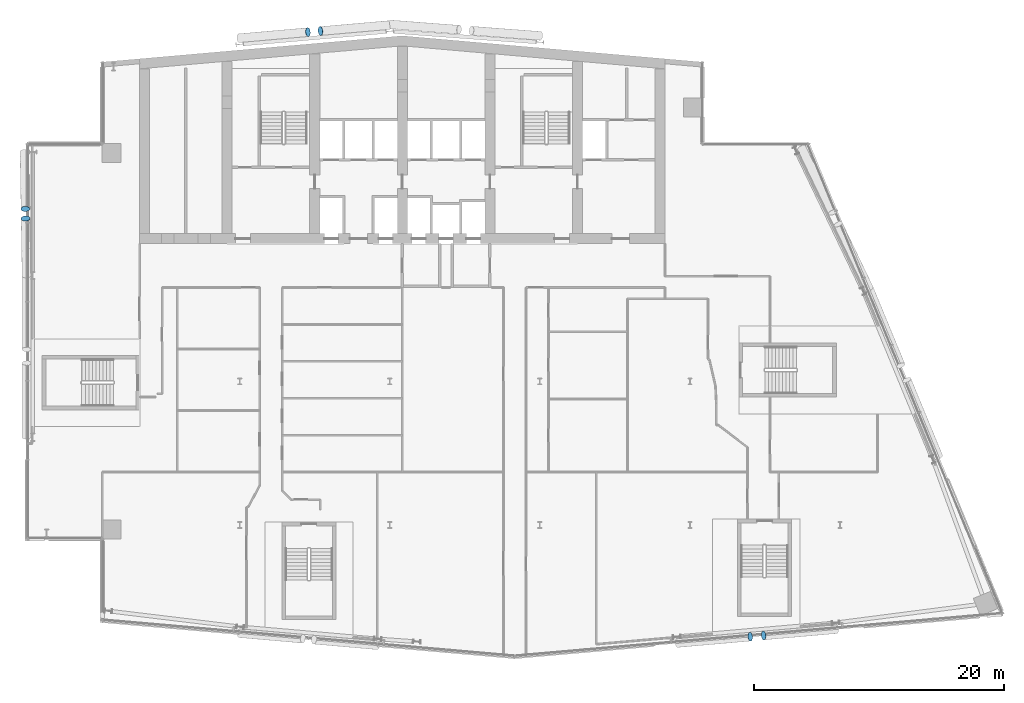
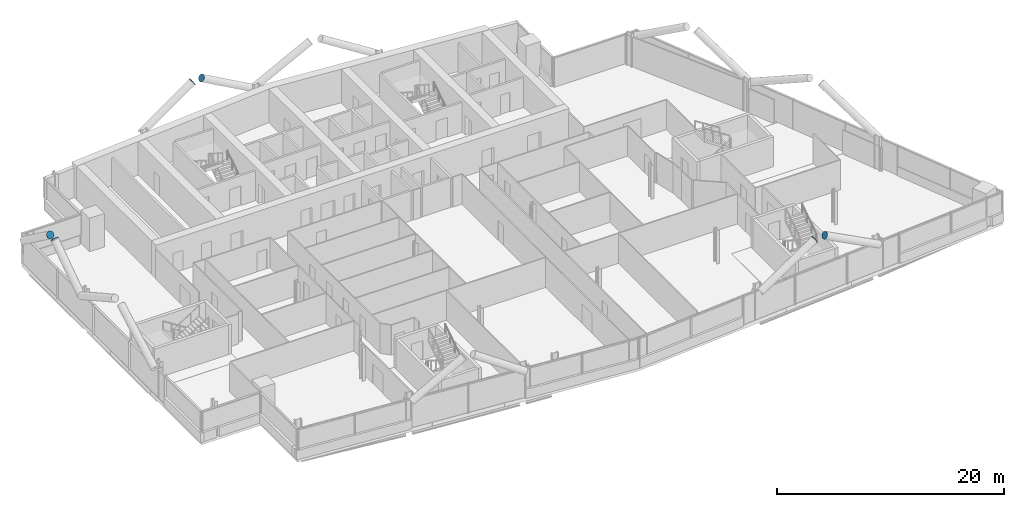
# One storey, part 22 of 26: 6 discrete accessories.
"""IFC4 building model written with IfcOpenShell, lengths in metres."""

import ifcopenshell
import ifcopenshell.guid

model = None  # the IFC model being written
_history = None  # IfcOwnerHistory: only IFC2X3 demands one
_inside = {}  # id of a spatial element -> (the spatial element, [elements in it])
_under = {}  # id of a project, library or spatial element -> (it, [spatial elements below it])
_declared = {}  # id of a project -> (the project, [libraries it declares])
_typed = {}  # id of a type object -> (the type object, [elements of that type])
_made_of = {}  # id of a material, layer set ... -> (it, [elements and type objects made of it])


def new_model(schema):
    """Start an empty IFC model of exactly this schema.

    Asked for "IFC4X3", IfcOpenShell would pick the latest addendum, in which some entities
    have other attributes; the version numbers below select the first issue.
    IFC2X3 requires an IfcOwnerHistory on every rooted entity: one is made here for all.
    """
    global model, _history
    if schema == "IFC4X3":
        model = ifcopenshell.file(schema_version=(4, 3, 0, 0))
    else:
        model = ifcopenshell.file(schema=schema)
    _inside.clear()
    _under.clear()
    _declared.clear()
    _typed.clear()
    _made_of.clear()
    _history = None
    if model.schema == "IFC2X3":
        org = make("IfcOrganization", Name="unknown")
        user = make(
            "IfcPersonAndOrganization",
            ThePerson=make("IfcPerson", FamilyName="unknown"),
            TheOrganization=org,
        )
        app = make(
            "IfcApplication",
            ApplicationDeveloper=org,
            Version="unknown",
            ApplicationFullName="unknown",
            ApplicationIdentifier="unknown",
        )
        _history = make(
            "IfcOwnerHistory",
            OwningUser=user,
            OwningApplication=app,
            ChangeAction="ADDED",
            CreationDate=0,
        )
    return model


def make(cls, **values):
    """One entity of the class cls with the attributes given. An attribute that is None is left unset."""
    return model.create_entity(
        cls, **{name: value for name, value in values.items() if value is not None}
    )


def rooted(cls, **values):
    """An entity with a GlobalId (a new one), such as an element, a storey or a relation."""
    return make(cls, GlobalId=ifcopenshell.guid.new(), OwnerHistory=_history, **values)


def si_unit(unit_type, name, prefix=None):
    """IfcSIUnit, for example si_unit("LENGTHUNIT", "METRE", prefix="MILLI")."""
    return make("IfcSIUnit", UnitType=unit_type, Prefix=prefix, Name=name)


def assignment(units):
    """IfcUnitAssignment: the units of a project."""
    return None if units is None else make("IfcUnitAssignment", Units=units)


def point(xyz):
    """IfcCartesianPoint."""
    return None if xyz is None else make("IfcCartesianPoint", Coordinates=xyz)


def direction(xyz):
    """IfcDirection."""
    return None if xyz is None else make("IfcDirection", DirectionRatios=xyz)


def frame(location, z_axis=None, x_axis=None):
    """IfcAxis2Placement3D, a coordinate frame: its origin and axes. An axis left out is left unset."""
    return make(
        "IfcAxis2Placement3D",
        Location=point(location),
        Axis=direction(z_axis),
        RefDirection=direction(x_axis),
    )


def frame_2d(location, x_axis=None):
    """IfcAxis2Placement2D, a coordinate frame in the plane: its origin and x axis."""
    return make(
        "IfcAxis2Placement2D", Location=point(location), RefDirection=direction(x_axis)
    )


def origin():
    """The frame at (0, 0, 0) with its axes left unset."""
    return frame((0.0, 0.0, 0.0))


def origin_2d():
    """The frame at (0, 0) in the plane with its x axis left unset."""
    return frame_2d((0.0, 0.0))


def place(relative_to, where):
    """IfcLocalPlacement: puts the frame where relative to a parent placement (None: the world)."""
    return make(
        "IfcLocalPlacement", PlacementRelTo=relative_to, RelativePlacement=where
    )


def context(
    kind, dimensions, precision=None, world=None, true_north=None, identifier=None
):
    """IfcGeometricRepresentationContext, for example the 3D "Model" context."""
    return make(
        "IfcGeometricRepresentationContext",
        ContextIdentifier=identifier,
        ContextType=kind,
        CoordinateSpaceDimension=dimensions,
        Precision=precision,
        WorldCoordinateSystem=world,
        TrueNorth=true_north,
    )


def subcontext(parent, identifier, kind, view, scale=None):
    """IfcGeometricRepresentationSubContext, for example "Body" below "Model"."""
    return make(
        "IfcGeometricRepresentationSubContext",
        ContextIdentifier=identifier,
        ContextType=kind,
        ParentContext=parent,
        TargetScale=scale,
        TargetView=view,
    )


def project(units=None, contexts=None):
    """IfcProject with its units and contexts."""
    return rooted(
        "IfcProject",
        Name="project",
        RepresentationContexts=contexts,
        UnitsInContext=assignment(units),
    )


def spatial(cls, under=None, at=None, **own):
    """A site, building, storey or space (cls), placed at a placement, below another one or the project."""
    s = rooted(cls, ObjectPlacement=at, **own)
    if under is not None:
        _under.setdefault(under.id(), (under, []))[1].append(s)
    return s


def profile(cls, at=None, kind="AREA", **sizes):
    """A parametric profile (cls). Its sizes go by their IFC names, for example OverallWidth=200.0."""
    return make(cls, ProfileType=kind, Position=at, **sizes)


def circle(**sizes):
    """IfcCircleProfileDef."""
    return profile("IfcCircleProfileDef", **sizes)


def extrude(swept, where, along, depth):
    """IfcExtrudedAreaSolid: the profile swept, set in the frame where, extruded along a direction by depth."""
    return make(
        "IfcExtrudedAreaSolid",
        SweptArea=swept,
        Position=where,
        ExtrudedDirection=direction(along),
        Depth=depth,
    )


def shape(context_of_items, identifier, shape_type, items):
    """IfcShapeRepresentation: the items that make up one representation, for example the "Body"."""
    return make(
        "IfcShapeRepresentation",
        ContextOfItems=context_of_items,
        RepresentationIdentifier=identifier,
        RepresentationType=shape_type,
        Items=items,
    )


def material(Name=None, Category=None):
    """IfcMaterial."""
    return make("IfcMaterial", Name=Name, Category=Category)


def material_profile(
    of_material, cross_section, Name=None, Category=None, Priority=None
):
    """IfcMaterialProfile: a cross section and its material."""
    return make(
        "IfcMaterialProfile",
        Name=Name,
        Material=of_material,
        Profile=cross_section,
        Priority=Priority,
        Category=Category,
    )


def profile_set(profiles, Name=None, composite=None):
    """IfcMaterialProfileSet."""
    return make(
        "IfcMaterialProfileSet",
        Name=Name,
        MaterialProfiles=profiles,
        CompositeProfile=composite,
    )


def made_of(thing, what):
    """Note that an element or type object is made of a material, layer set ...; save() writes the relation."""
    if what is not None:
        _made_of.setdefault(what.id(), (what, []))[1].append(thing)
    return thing


def type_object(cls, material=None, **own):
    """A type object (cls), such as IfcWallType, which elements share."""
    return made_of(rooted(cls, **own), material)


def element(
    cls,
    number,
    at=None,
    inside=None,
    cuts=None,
    type_object=None,
    material=None,
    context=None,
    identifier="Body",
    shape_type=None,
    held_by="IfcProductDefinitionShape",
    body=None,
    shapes=None,
    **own,
):
    """One element of the class cls, such as IfcWall. Its Tag is "e" and its number.

    at: its placement. inside: the storey or other place that contains it. cuts: it is an
    opening in that element (IfcRelVoidsElement). A single representation is given by context,
    identifier, shape_type and body (its items); several are given by shapes. held_by: the class
    of the entity that holds the representations. save() writes the other relations.
    """
    e = rooted(cls, Tag="e%d" % number, ObjectPlacement=at, **own)
    if body is not None:
        shapes = [shape(context, identifier, shape_type, body)]
    if shapes is not None:
        e.Representation = make(held_by, Representations=shapes)
    if inside is not None:
        _inside.setdefault(inside.id(), (inside, []))[1].append(e)
    if cuts is not None:
        rooted(
            "IfcRelVoidsElement", RelatingBuildingElement=cuts, RelatedOpeningElement=e
        )
    if type_object is not None:
        _typed.setdefault(type_object.id(), (type_object, []))[1].append(e)
    return made_of(e, material)


def aggregate(whole, parts):
    """IfcRelAggregates: a whole, such as a stair, and the parts it consists of."""
    return rooted("IfcRelAggregates", RelatingObject=whole, RelatedObjects=parts)


def save(model, path):
    """Write the relations noted so far, then the file.

    IfcRelAggregates (storeys below a building ...), IfcRelContainedInSpatialStructure (elements
    in a storey), IfcRelDefinesByType, IfcRelAssociatesMaterial and IfcRelDeclares: one each for
    every whole, place, type object, material and project.
    """
    for whole, parts in _under.values():
        aggregate(whole, parts)
    for where, things in _inside.values():
        rooted(
            "IfcRelContainedInSpatialStructure",
            RelatedElements=things,
            RelatingStructure=where,
        )
    for kind, things in _typed.values():
        rooted("IfcRelDefinesByType", RelatedObjects=things, RelatingType=kind)
    for what, things in _made_of.values():
        rooted("IfcRelAssociatesMaterial", RelatedObjects=things, RelatingMaterial=what)
    for by, libraries in _declared.values():
        rooted("IfcRelDeclares", RelatingContext=by, RelatedDefinitions=libraries)
    model.write(path)


model = new_model("IFC4")

# Units and contexts
model_context = context("Model", 3, precision=1e-05, world=origin(), true_north=direction((0.0, 1.0)))
body_context = subcontext(model_context, "Body", "Model", "MODEL_VIEW")
ifc_project = project(units=[si_unit("LENGTHUNIT", "METRE"), si_unit("AREAUNIT", "SQUARE_METRE"), si_unit("VOLUMEUNIT", "CUBIC_METRE"), si_unit("PLANEANGLEUNIT", "RADIAN"), si_unit("MASSUNIT", "GRAM", prefix="KILO")], contexts=[model_context])

# Site, building, storey
site_placement = place(None, origin())
site = spatial("IfcSite", under=ifc_project, at=site_placement, CompositionType="ELEMENT")
building_placement = place(site_placement, origin())
building = spatial("IfcBuilding", under=site, at=building_placement, Name="Wharfspan Tower", CompositionType="ELEMENT")
storey_placement = place(building_placement, frame((0.0, 0.0, 169.899902)))
storey = spatial("IfcBuildingStorey", under=building, at=storey_placement, Name="L41", CompositionType="ELEMENT", Elevation=169.899902)

# Discrete accessories
ifc_material = material(Name="Steel S460NH", Category="steel")
ifc_material_profile = material_profile(ifc_material, circle(Radius=0.355469, at=origin_2d()))
ifc_profile_set = profile_set([ifc_material_profile], Name="Steel S460NH")
discrete_accessory_type = type_object("IfcDiscreteAccessoryType", Name="End plate CHS 711x36", PredefinedType="BRACKET", material=ifc_profile_set)
for number, where, z_axis, x_axis, name in (
    (1, (64.812744, 2.578613, 6.192627), (0.871847, 0.072654, 0.484359), (-0.083044, 0.996547, -3e-06), "End plate CHS 711x36"),
    (2, (65.897949, 2.673584, 6.192627), (-0.871847, -0.072654, 0.484359), (0.083044, -0.996547, -3e-06), "End plate CHS 711x36"),
):
    element("IfcDiscreteAccessory", number, at=place(storey_placement, frame(where, z_axis=z_axis, x_axis=x_axis)), inside=storey, type_object=discrete_accessory_type, Name=name, PredefinedType="BRACKET", context=body_context, shape_type="SweptSolid", body=[
        extrude(circle(Radius=0.355469, at=origin_2d()), origin(), (0.0, 0.0, 1.0), 0.01001),
    ])
discrete_accessory_placement = place(storey_placement, frame((6.860352, 36.790771, 6.214844), z_axis=(0.0, -0.816968, 0.576683), x_axis=(1.0, 0.0, 0.0)))
element("IfcDiscreteAccessory", 3, at=discrete_accessory_placement, inside=storey, type_object=discrete_accessory_type, Name="End plate CHS 711x36", PredefinedType="BRACKET", context=body_context, shape_type="SweptSolid", body=[
    extrude(circle(Radius=0.355469, at=origin_2d()), origin(), (0.0, 0.0, 1.0), 0.010254),
])
for number, where, z_axis, x_axis, name in (
    (4, (6.872803, 36.009033, 6.214844), (-0.0245, 0.808493, 0.587995), (-0.999537, -0.03029, 1e-06), "End plate CHS 711x36"),
    (5, (29.450928, 50.918701, 6.197021), (0.855186, 0.073302, 0.513112), (-0.085402, 0.996345, 1e-06), "End plate CHS 711x36"),
    (6, (30.461426, 51.00708, 6.197021), (-0.855186, -0.073302, 0.513112), (0.085402, -0.996345, 1e-06), "End plate CHS 711x36"),
):
    element("IfcDiscreteAccessory", number, at=place(storey_placement, frame(where, z_axis=z_axis, x_axis=x_axis)), inside=storey, type_object=discrete_accessory_type, Name=name, PredefinedType="BRACKET", context=body_context, shape_type="SweptSolid", body=[
        extrude(circle(Radius=0.355469, at=origin_2d()), origin(), (0.0, 0.0, 1.0), 0.01001),
    ])

save(model, "model.ifc")
